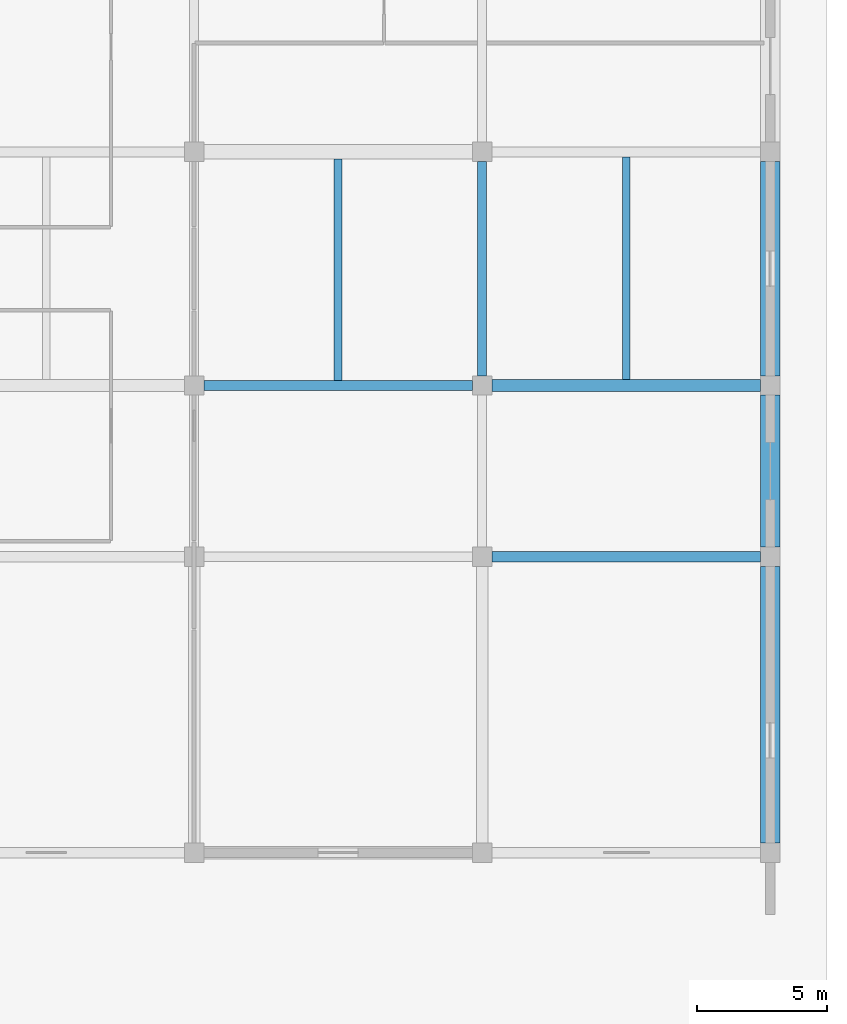
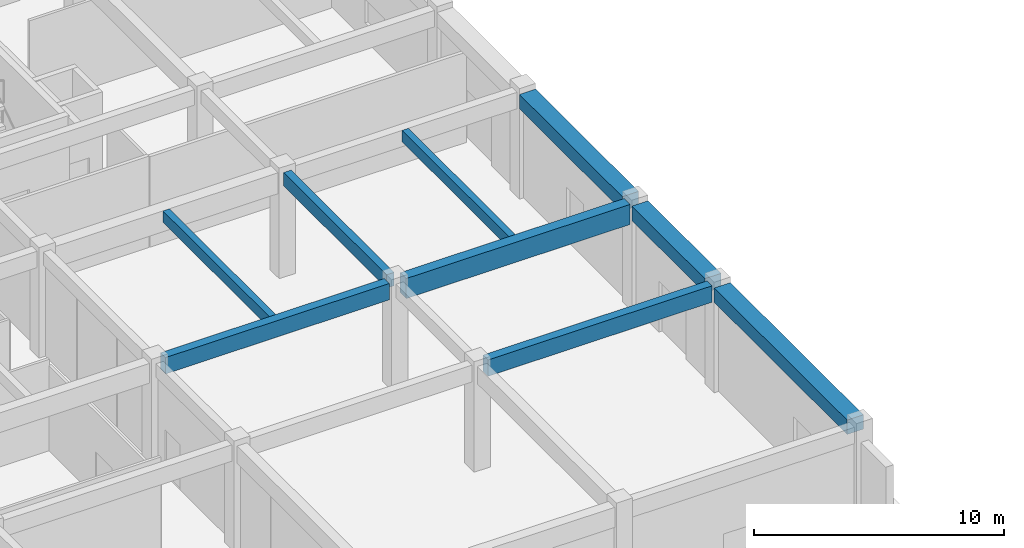
# One storey, part 27 of 70: 9 beams.
"""IFC4 building model written with IfcOpenShell, lengths in metres."""

from ifc_helpers import new_model, si_unit, direction, frame, origin, origin_2d, place, context, subcontext, project, spatial, rectangle, extrude, material, material_profile, profile_set, type_object, element, save


model = new_model("IFC4")

# Units and contexts
model_context = context("Model", 3, precision=1e-05, world=origin(), true_north=direction((0.0, 1.0)))
body_context = subcontext(model_context, "Body", "Model", "MODEL_VIEW")
ifc_project = project(units=[si_unit("LENGTHUNIT", "METRE"), si_unit("AREAUNIT", "SQUARE_METRE"), si_unit("VOLUMEUNIT", "CUBIC_METRE"), si_unit("PLANEANGLEUNIT", "RADIAN"), si_unit("MASSUNIT", "GRAM", prefix="KILO")], contexts=[model_context])

# Site, building, storey
site_placement = place(None, origin())
site = spatial("IfcSite", under=ifc_project, at=site_placement, CompositionType="ELEMENT")
building_placement = place(site_placement, origin())
building = spatial("IfcBuilding", under=site, at=building_placement, Name="Miralva Faculty of Natural Sciences", CompositionType="ELEMENT")
storey_placement = place(building_placement, origin())
storey = spatial("IfcBuildingStorey", under=building, at=storey_placement, Name="L00", CompositionType="ELEMENT", Elevation=0.0)

# Beams
ifc_material = material(Name="Concrete C40/50", Category="concrete")
ifc_material_profile_1 = material_profile(ifc_material, rectangle(XDim=0.39990234375, YDim=0.800048828125, at=origin_2d()), Name="RC 400x800")
ifc_profile_set_1 = profile_set([ifc_material_profile_1], Name="Concrete C40/50")
beam_type_1 = type_object("IfcBeamType", Name="BM-B02", PredefinedType="BEAM", material=ifc_profile_set_1)
beam_1_placement = place(storey_placement, frame((156.675048828125, 23.39990234375, 4.719970703125), z_axis=(1.0, 0.0, 0.0), x_axis=(0.0, 1.0, 0.0)))
element("IfcBeam", 1, at=beam_1_placement, inside=storey, type_object=beam_type_1, Name="Girder EW L00-30", PredefinedType="BEAM", context=body_context, shape_type="SweptSolid", body=[
    extrude(rectangle(XDim=0.39990234375, YDim=0.800048828125, at=origin_2d()), origin(), (0.0, 0.0, 1.0), 10.349853515625),
])
beam_2_placement = place(storey_placement, frame((145.574951171875, 30.0, 4.719970703125), z_axis=(1.0, 0.0, 0.0), x_axis=(0.0, 1.0, 0.0)))
element("IfcBeam", 2, at=beam_2_placement, inside=storey, type_object=beam_type_1, Name="Girder EW L00-38", PredefinedType="BEAM", context=body_context, shape_type="SweptSolid", body=[
    extrude(rectangle(XDim=0.39990234375, YDim=0.800048828125, at=origin_2d()), origin(), (0.0, 0.0, 1.0), 10.35009765625),
])
ifc_material_profile_2 = material_profile(ifc_material, rectangle(XDim=0.35009765625, YDim=0.64990234375, at=origin_2d()), Name="RC 350x650")
ifc_profile_set_2 = profile_set([ifc_material_profile_2], Name="Concrete C40/50")
beam_type_2 = type_object("IfcBeamType", Name="BM-B05", PredefinedType="BEAM", material=ifc_profile_set_2)
beam_3_placement = place(storey_placement, frame((156.300048828125, 30.375, 4.794921875), z_axis=(0.0, 1.0, 0.0), x_axis=(-1.0, 0.0, 0.0)))
element("IfcBeam", 3, at=beam_3_placement, inside=storey, type_object=beam_type_2, Name="Girder NS L00-201", PredefinedType="BEAM", context=body_context, shape_type="SweptSolid", body=[
    extrude(rectangle(XDim=0.35009765625, YDim=0.64990234375, at=origin_2d()), origin(), (0.0, 0.0, 1.0), 8.25),
])
ifc_material_profile_3 = material_profile(ifc_material, rectangle(XDim=0.47998046875, YDim=0.97998046875, at=origin_2d()), Name="RC 480x980")
ifc_profile_set_3 = profile_set([ifc_material_profile_3], Name="Concrete C40/50")
beam_type_3 = type_object("IfcBeamType", Name="BM-BG18", PredefinedType="BEAM", material=ifc_profile_set_3)
beam_4_placement = place(storey_placement, frame((156.675048828125, 30.0, 4.6298828125), z_axis=(1.0, 0.0, 0.0), x_axis=(0.0, 1.0, 0.0)))
element("IfcBeam", 4, at=beam_4_placement, inside=storey, type_object=beam_type_3, Name="Girder EW L00-39", PredefinedType="BEAM", context=body_context, shape_type="SweptSolid", body=[
    extrude(rectangle(XDim=0.47998046875, YDim=0.97998046875, at=origin_2d()), origin(), (0.0, 0.0, 1.0), 10.349853515625),
])
ifc_material_profile_4 = material_profile(ifc_material, rectangle(XDim=0.300048828125, YDim=0.550048828125, at=origin_2d()), Name="RC 300x550")
ifc_profile_set_4 = profile_set([ifc_material_profile_4], Name="Concrete C40/50")
beam_type_4 = type_object("IfcBeamType", Name="BM-J02", PredefinedType="JOIST", material=ifc_profile_set_4)
beam_5_placement = place(storey_placement, frame((150.75, 30.199951171875, 4.844970703125), z_axis=(0.0, 1.0, 0.0), x_axis=(-1.0, 0.0, 0.0)))
element("IfcBeam", 5, at=beam_5_placement, inside=storey, type_object=beam_type_4, Name="Floor joist L00-10", PredefinedType="JOIST", context=body_context, shape_type="SweptSolid", body=[
    extrude(rectangle(XDim=0.300048828125, YDim=0.550048828125, at=origin_2d()), origin(), (0.0, 0.0, 1.0), 8.52001953125),
])
beam_6_placement = place(storey_placement, frame((161.85009765625, 30.239990234375, 4.844970703125), z_axis=(0.0, 1.0, 0.0), x_axis=(-1.0, 0.0, 0.0)))
element("IfcBeam", 6, at=beam_6_placement, inside=storey, type_object=beam_type_4, Name="Floor joist L00-11", PredefinedType="JOIST", context=body_context, shape_type="SweptSolid", body=[
    extrude(rectangle(XDim=0.300048828125, YDim=0.550048828125, at=origin_2d()), origin(), (0.0, 0.0, 1.0), 8.56005859375),
])
ifc_material_profile_5 = material_profile(ifc_material, rectangle(XDim=0.75, YDim=0.699951171875, at=origin_2d()), Name="RC 750x700")
ifc_profile_set_5 = profile_set([ifc_material_profile_5], Name="Concrete C40/50")
beam_type_5 = type_object("IfcBeamType", Name="BM-SP01", PredefinedType="SPANDREL", material=ifc_profile_set_5)
beam_7_placement = place(storey_placement, frame((167.39990234375, 12.375, 4.77001953125), z_axis=(0.0, 1.0, 0.0), x_axis=(-1.0, 0.0, 0.0)))
element("IfcBeam", 7, at=beam_7_placement, inside=storey, type_object=beam_type_5, Name="Girder NS L00-211", PredefinedType="SPANDREL", context=body_context, shape_type="SweptSolid", body=[
    extrude(rectangle(XDim=0.75, YDim=0.699951171875, at=origin_2d()), origin(), (0.0, 0.0, 1.0), 10.64990234375),
])
beam_8_placement = place(storey_placement, frame((167.39990234375, 23.77490234375, 4.77001953125), z_axis=(0.0, 1.0, 0.0), x_axis=(-1.0, 0.0, 0.0)))
element("IfcBeam", 8, at=beam_8_placement, inside=storey, type_object=beam_type_5, Name="Girder NS L00-212", PredefinedType="SPANDREL", context=body_context, shape_type="SweptSolid", body=[
    extrude(rectangle(XDim=0.75, YDim=0.699951171875, at=origin_2d()), origin(), (0.0, 0.0, 1.0), 5.85009765625),
])
beam_9_placement = place(storey_placement, frame((167.39990234375, 30.375, 4.77001953125), z_axis=(0.0, 1.0, 0.0), x_axis=(-1.0, 0.0, 0.0)))
element("IfcBeam", 9, at=beam_9_placement, inside=storey, type_object=beam_type_5, Name="Girder NS L00-213", PredefinedType="SPANDREL", context=body_context, shape_type="SweptSolid", body=[
    extrude(rectangle(XDim=0.75, YDim=0.699951171875, at=origin_2d()), origin(), (0.0, 0.0, 1.0), 8.25),
])

save(model, "model.ifc")
